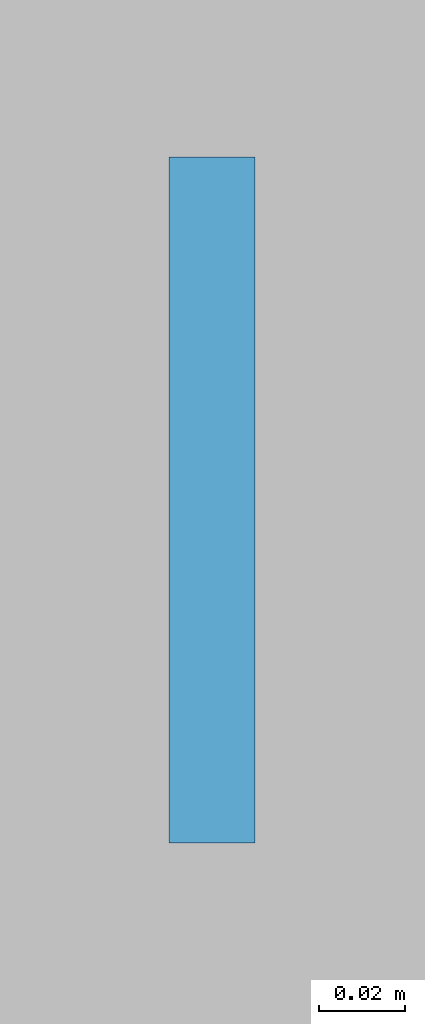
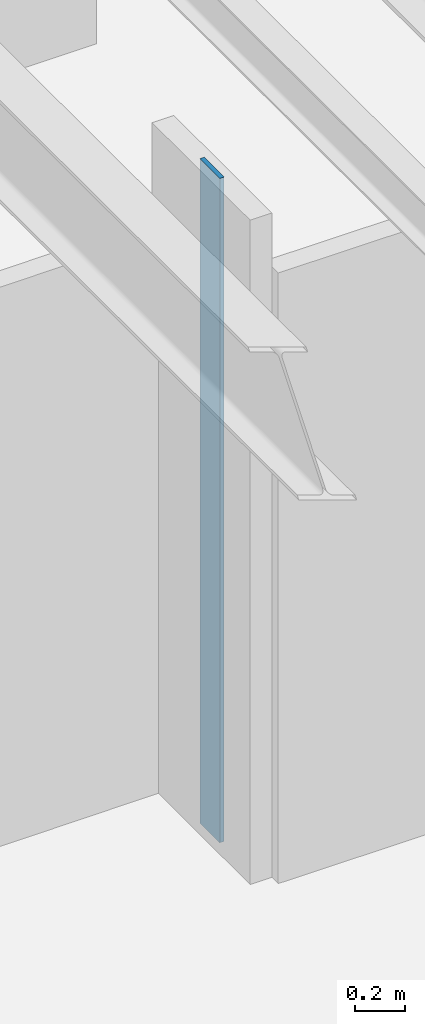
# One storey, part 2 of 11: 1 plate.
"""IFC4 building model written with IfcOpenShell, lengths in metres."""

import ifcopenshell
import ifcopenshell.guid

model = None  # the IFC model being written
_history = None  # IfcOwnerHistory: only IFC2X3 demands one
_inside = {}  # id of a spatial element -> (the spatial element, [elements in it])
_under = {}  # id of a project, library or spatial element -> (it, [spatial elements below it])
_declared = {}  # id of a project -> (the project, [libraries it declares])
_typed = {}  # id of a type object -> (the type object, [elements of that type])
_made_of = {}  # id of a material, layer set ... -> (it, [elements and type objects made of it])


def new_model(schema):
    """Start an empty IFC model of exactly this schema.

    Asked for "IFC4X3", IfcOpenShell would pick the latest addendum, in which some entities
    have other attributes; the version numbers below select the first issue.
    IFC2X3 requires an IfcOwnerHistory on every rooted entity: one is made here for all.
    """
    global model, _history
    if schema == "IFC4X3":
        model = ifcopenshell.file(schema_version=(4, 3, 0, 0))
    else:
        model = ifcopenshell.file(schema=schema)
    _inside.clear()
    _under.clear()
    _declared.clear()
    _typed.clear()
    _made_of.clear()
    _history = None
    if model.schema == "IFC2X3":
        org = make("IfcOrganization", Name="unknown")
        user = make(
            "IfcPersonAndOrganization",
            ThePerson=make("IfcPerson", FamilyName="unknown"),
            TheOrganization=org,
        )
        app = make(
            "IfcApplication",
            ApplicationDeveloper=org,
            Version="unknown",
            ApplicationFullName="unknown",
            ApplicationIdentifier="unknown",
        )
        _history = make(
            "IfcOwnerHistory",
            OwningUser=user,
            OwningApplication=app,
            ChangeAction="ADDED",
            CreationDate=0,
        )
    return model


def make(cls, **values):
    """One entity of the class cls with the attributes given. An attribute that is None is left unset."""
    return model.create_entity(
        cls, **{name: value for name, value in values.items() if value is not None}
    )


def rooted(cls, **values):
    """An entity with a GlobalId (a new one), such as an element, a storey or a relation."""
    return make(cls, GlobalId=ifcopenshell.guid.new(), OwnerHistory=_history, **values)


def si_unit(unit_type, name, prefix=None):
    """IfcSIUnit, for example si_unit("LENGTHUNIT", "METRE", prefix="MILLI")."""
    return make("IfcSIUnit", UnitType=unit_type, Prefix=prefix, Name=name)


def assignment(units):
    """IfcUnitAssignment: the units of a project."""
    return None if units is None else make("IfcUnitAssignment", Units=units)


def point(xyz):
    """IfcCartesianPoint."""
    return None if xyz is None else make("IfcCartesianPoint", Coordinates=xyz)


def direction(xyz):
    """IfcDirection."""
    return None if xyz is None else make("IfcDirection", DirectionRatios=xyz)


def frame(location, z_axis=None, x_axis=None):
    """IfcAxis2Placement3D, a coordinate frame: its origin and axes. An axis left out is left unset."""
    return make(
        "IfcAxis2Placement3D",
        Location=point(location),
        Axis=direction(z_axis),
        RefDirection=direction(x_axis),
    )


def frame_2d(location, x_axis=None):
    """IfcAxis2Placement2D, a coordinate frame in the plane: its origin and x axis."""
    return make(
        "IfcAxis2Placement2D", Location=point(location), RefDirection=direction(x_axis)
    )


def origin():
    """The frame at (0, 0, 0) with its axes left unset."""
    return frame((0.0, 0.0, 0.0))


def origin_2d():
    """The frame at (0, 0) in the plane with its x axis left unset."""
    return frame_2d((0.0, 0.0))


def place(relative_to, where):
    """IfcLocalPlacement: puts the frame where relative to a parent placement (None: the world)."""
    return make(
        "IfcLocalPlacement", PlacementRelTo=relative_to, RelativePlacement=where
    )


def context(
    kind, dimensions, precision=None, world=None, true_north=None, identifier=None
):
    """IfcGeometricRepresentationContext, for example the 3D "Model" context."""
    return make(
        "IfcGeometricRepresentationContext",
        ContextIdentifier=identifier,
        ContextType=kind,
        CoordinateSpaceDimension=dimensions,
        Precision=precision,
        WorldCoordinateSystem=world,
        TrueNorth=true_north,
    )


def subcontext(parent, identifier, kind, view, scale=None):
    """IfcGeometricRepresentationSubContext, for example "Body" below "Model"."""
    return make(
        "IfcGeometricRepresentationSubContext",
        ContextIdentifier=identifier,
        ContextType=kind,
        ParentContext=parent,
        TargetScale=scale,
        TargetView=view,
    )


def project(units=None, contexts=None):
    """IfcProject with its units and contexts."""
    return rooted(
        "IfcProject",
        Name="project",
        RepresentationContexts=contexts,
        UnitsInContext=assignment(units),
    )


def spatial(cls, under=None, at=None, **own):
    """A site, building, storey or space (cls), placed at a placement, below another one or the project."""
    s = rooted(cls, ObjectPlacement=at, **own)
    if under is not None:
        _under.setdefault(under.id(), (under, []))[1].append(s)
    return s


def profile(cls, at=None, kind="AREA", **sizes):
    """A parametric profile (cls). Its sizes go by their IFC names, for example OverallWidth=200.0."""
    return make(cls, ProfileType=kind, Position=at, **sizes)


def rectangle(**sizes):
    """IfcRectangleProfileDef."""
    return profile("IfcRectangleProfileDef", **sizes)


def extrude(swept, where, along, depth):
    """IfcExtrudedAreaSolid: the profile swept, set in the frame where, extruded along a direction by depth."""
    return make(
        "IfcExtrudedAreaSolid",
        SweptArea=swept,
        Position=where,
        ExtrudedDirection=direction(along),
        Depth=depth,
    )


def shape(context_of_items, identifier, shape_type, items):
    """IfcShapeRepresentation: the items that make up one representation, for example the "Body"."""
    return make(
        "IfcShapeRepresentation",
        ContextOfItems=context_of_items,
        RepresentationIdentifier=identifier,
        RepresentationType=shape_type,
        Items=items,
    )


def material(Name=None, Category=None):
    """IfcMaterial."""
    return make("IfcMaterial", Name=Name, Category=Category)


def layer(
    of_material, thickness, ventilated=None, Name=None, Category=None, Priority=None
):
    """IfcMaterialLayer: one layer of a wall or slab, of a material (None: an air gap)."""
    return make(
        "IfcMaterialLayer",
        Material=of_material,
        LayerThickness=thickness,
        IsVentilated=ventilated,
        Name=Name,
        Category=Category,
        Priority=Priority,
    )


def layer_set(layers, Name=None):
    """IfcMaterialLayerSet."""
    return make("IfcMaterialLayerSet", MaterialLayers=layers, LayerSetName=Name)


def made_of(thing, what):
    """Note that an element or type object is made of a material, layer set ...; save() writes the relation."""
    if what is not None:
        _made_of.setdefault(what.id(), (what, []))[1].append(thing)
    return thing


def type_object(cls, material=None, **own):
    """A type object (cls), such as IfcWallType, which elements share."""
    return made_of(rooted(cls, **own), material)


def element(
    cls,
    number,
    at=None,
    inside=None,
    cuts=None,
    type_object=None,
    material=None,
    context=None,
    identifier="Body",
    shape_type=None,
    held_by="IfcProductDefinitionShape",
    body=None,
    shapes=None,
    **own,
):
    """One element of the class cls, such as IfcWall. Its Tag is "e" and its number.

    at: its placement. inside: the storey or other place that contains it. cuts: it is an
    opening in that element (IfcRelVoidsElement). A single representation is given by context,
    identifier, shape_type and body (its items); several are given by shapes. held_by: the class
    of the entity that holds the representations. save() writes the other relations.
    """
    e = rooted(cls, Tag="e%d" % number, ObjectPlacement=at, **own)
    if body is not None:
        shapes = [shape(context, identifier, shape_type, body)]
    if shapes is not None:
        e.Representation = make(held_by, Representations=shapes)
    if inside is not None:
        _inside.setdefault(inside.id(), (inside, []))[1].append(e)
    if cuts is not None:
        rooted(
            "IfcRelVoidsElement", RelatingBuildingElement=cuts, RelatedOpeningElement=e
        )
    if type_object is not None:
        _typed.setdefault(type_object.id(), (type_object, []))[1].append(e)
    return made_of(e, material)


def aggregate(whole, parts):
    """IfcRelAggregates: a whole, such as a stair, and the parts it consists of."""
    return rooted("IfcRelAggregates", RelatingObject=whole, RelatedObjects=parts)


def save(model, path):
    """Write the relations noted so far, then the file.

    IfcRelAggregates (storeys below a building ...), IfcRelContainedInSpatialStructure (elements
    in a storey), IfcRelDefinesByType, IfcRelAssociatesMaterial and IfcRelDeclares: one each for
    every whole, place, type object, material and project.
    """
    for whole, parts in _under.values():
        aggregate(whole, parts)
    for where, things in _inside.values():
        rooted(
            "IfcRelContainedInSpatialStructure",
            RelatedElements=things,
            RelatingStructure=where,
        )
    for kind, things in _typed.values():
        rooted("IfcRelDefinesByType", RelatedObjects=things, RelatingType=kind)
    for what, things in _made_of.values():
        rooted("IfcRelAssociatesMaterial", RelatedObjects=things, RelatingMaterial=what)
    for by, libraries in _declared.values():
        rooted("IfcRelDeclares", RelatingContext=by, RelatedDefinitions=libraries)
    model.write(path)


model = new_model("IFC4")

# Units and contexts
model_context = context("Model", 3, precision=1e-05, world=origin(), true_north=direction((0.0, 1.0)))
body_context = subcontext(model_context, "Body", "Model", "MODEL_VIEW")
ifc_project = project(units=[si_unit("LENGTHUNIT", "METRE"), si_unit("AREAUNIT", "SQUARE_METRE"), si_unit("VOLUMEUNIT", "CUBIC_METRE"), si_unit("PLANEANGLEUNIT", "RADIAN"), si_unit("MASSUNIT", "GRAM", prefix="KILO")], contexts=[model_context])

# Site, building, storey
site_placement = place(None, origin())
site = spatial("IfcSite", under=ifc_project, at=site_placement, CompositionType="ELEMENT")
building_placement = place(site_placement, origin())
building = spatial("IfcBuilding", under=site, at=building_placement, Name="Miruveldt Soraemaru", CompositionType="ELEMENT")
storey_placement = place(building_placement, frame((0.0, 0.0, 100.39990234375)))
storey = spatial("IfcBuildingStorey", under=building, at=storey_placement, Name="L27", CompositionType="ELEMENT", Elevation=100.39990234375)

# Plate
ifc_material = material(Name="Anodised aluminium EN AW-6063 T6", Category="aluminium")
ifc_layer = layer(ifc_material, 0.02001953125, Name="Anodised aluminium EN AW-6063 T6", Category="aluminium")
ifc_layer_set = layer_set([ifc_layer], Name="Anodised aluminium EN AW-6063 T6")
plate_type = type_object("IfcPlateType", Name="PLT-PART-TRIM", PredefinedType="SHEET", material=ifc_layer_set)
plate_placement = place(storey_placement, frame((29.657958984375, 45.021484375, 0.0), z_axis=(0.0, 0.0, 1.0), x_axis=(0.0, -1.0, 0.0)))
element("IfcPlate", 1, at=plate_placement, inside=storey, type_object=plate_type, Name="L27 Partition Step Corner Trim Plate 031", PredefinedType="SHEET", context=body_context, shape_type="SweptSolid", body=[
    extrude(rectangle(XDim=0.159912109375, YDim=0.02001953125, at=origin_2d()), origin(), (0.0, 0.0, 1.0), 3.235107421875),
])

save(model, "model.ifc")
